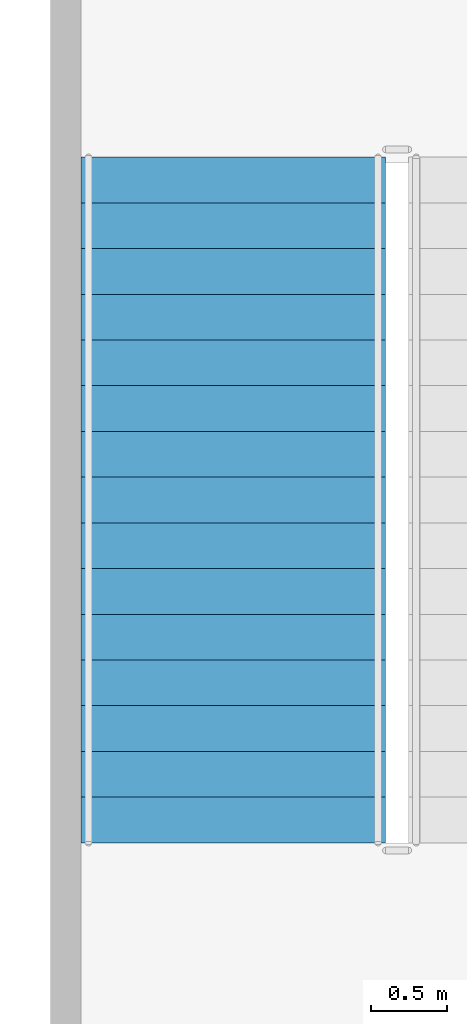
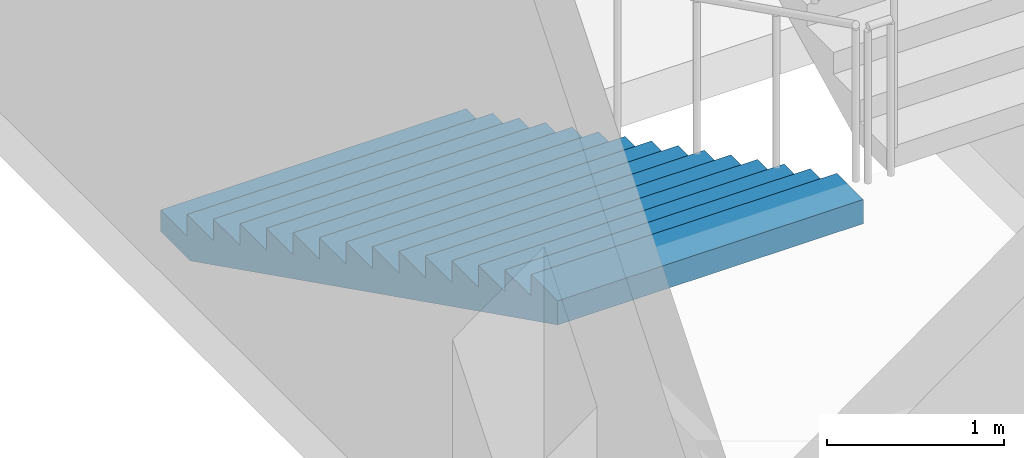
# One storey, part 53 of 91: 1 stair flight, 1 element without a shape of its own.
"""IFC4 building model written with IfcOpenShell, lengths in metres."""

import ifcopenshell
import ifcopenshell.guid

model = None  # the IFC model being written
_history = None  # IfcOwnerHistory: only IFC2X3 demands one
_inside = {}  # id of a spatial element -> (the spatial element, [elements in it])
_under = {}  # id of a project, library or spatial element -> (it, [spatial elements below it])
_declared = {}  # id of a project -> (the project, [libraries it declares])
_typed = {}  # id of a type object -> (the type object, [elements of that type])
_made_of = {}  # id of a material, layer set ... -> (it, [elements and type objects made of it])


def new_model(schema):
    """Start an empty IFC model of exactly this schema.

    Asked for "IFC4X3", IfcOpenShell would pick the latest addendum, in which some entities
    have other attributes; the version numbers below select the first issue.
    IFC2X3 requires an IfcOwnerHistory on every rooted entity: one is made here for all.
    """
    global model, _history
    if schema == "IFC4X3":
        model = ifcopenshell.file(schema_version=(4, 3, 0, 0))
    else:
        model = ifcopenshell.file(schema=schema)
    _inside.clear()
    _under.clear()
    _declared.clear()
    _typed.clear()
    _made_of.clear()
    _history = None
    if model.schema == "IFC2X3":
        org = make("IfcOrganization", Name="unknown")
        user = make(
            "IfcPersonAndOrganization",
            ThePerson=make("IfcPerson", FamilyName="unknown"),
            TheOrganization=org,
        )
        app = make(
            "IfcApplication",
            ApplicationDeveloper=org,
            Version="unknown",
            ApplicationFullName="unknown",
            ApplicationIdentifier="unknown",
        )
        _history = make(
            "IfcOwnerHistory",
            OwningUser=user,
            OwningApplication=app,
            ChangeAction="ADDED",
            CreationDate=0,
        )
    return model


def make(cls, **values):
    """One entity of the class cls with the attributes given. An attribute that is None is left unset."""
    return model.create_entity(
        cls, **{name: value for name, value in values.items() if value is not None}
    )


def rooted(cls, **values):
    """An entity with a GlobalId (a new one), such as an element, a storey or a relation."""
    return make(cls, GlobalId=ifcopenshell.guid.new(), OwnerHistory=_history, **values)


def si_unit(unit_type, name, prefix=None):
    """IfcSIUnit, for example si_unit("LENGTHUNIT", "METRE", prefix="MILLI")."""
    return make("IfcSIUnit", UnitType=unit_type, Prefix=prefix, Name=name)


def assignment(units):
    """IfcUnitAssignment: the units of a project."""
    return None if units is None else make("IfcUnitAssignment", Units=units)


def point(xyz):
    """IfcCartesianPoint."""
    return None if xyz is None else make("IfcCartesianPoint", Coordinates=xyz)


def direction(xyz):
    """IfcDirection."""
    return None if xyz is None else make("IfcDirection", DirectionRatios=xyz)


def frame(location, z_axis=None, x_axis=None):
    """IfcAxis2Placement3D, a coordinate frame: its origin and axes. An axis left out is left unset."""
    return make(
        "IfcAxis2Placement3D",
        Location=point(location),
        Axis=direction(z_axis),
        RefDirection=direction(x_axis),
    )


def origin():
    """The frame at (0, 0, 0) with its axes left unset."""
    return frame((0.0, 0.0, 0.0))


def place(relative_to, where):
    """IfcLocalPlacement: puts the frame where relative to a parent placement (None: the world)."""
    return make(
        "IfcLocalPlacement", PlacementRelTo=relative_to, RelativePlacement=where
    )


def context(
    kind, dimensions, precision=None, world=None, true_north=None, identifier=None
):
    """IfcGeometricRepresentationContext, for example the 3D "Model" context."""
    return make(
        "IfcGeometricRepresentationContext",
        ContextIdentifier=identifier,
        ContextType=kind,
        CoordinateSpaceDimension=dimensions,
        Precision=precision,
        WorldCoordinateSystem=world,
        TrueNorth=true_north,
    )


def subcontext(parent, identifier, kind, view, scale=None):
    """IfcGeometricRepresentationSubContext, for example "Body" below "Model"."""
    return make(
        "IfcGeometricRepresentationSubContext",
        ContextIdentifier=identifier,
        ContextType=kind,
        ParentContext=parent,
        TargetScale=scale,
        TargetView=view,
    )


def project(units=None, contexts=None):
    """IfcProject with its units and contexts."""
    return rooted(
        "IfcProject",
        Name="project",
        RepresentationContexts=contexts,
        UnitsInContext=assignment(units),
    )


def spatial(cls, under=None, at=None, **own):
    """A site, building, storey or space (cls), placed at a placement, below another one or the project."""
    s = rooted(cls, ObjectPlacement=at, **own)
    if under is not None:
        _under.setdefault(under.id(), (under, []))[1].append(s)
    return s


def faces_of(points, faces, orient=None, outer=None):
    """IfcFace entities. A face is a list of loops; a loop is a list of indices into points, from 0.

    orient and outer hold one flag for each loop. By default every Orientation is true, the
    first loop of a face is its IfcFaceOuterBound and the others are IfcFaceBound.
    """
    made = []
    for i, loops in enumerate(faces):
        bounds = []
        for j, loop in enumerate(loops):
            is_outer = j == 0 if outer is None else outer[i][j]
            bounds.append(
                make(
                    "IfcFaceOuterBound" if is_outer else "IfcFaceBound",
                    Bound=make("IfcPolyLoop", Polygon=[points[k] for k in loop]),
                    Orientation=True if orient is None else orient[i][j],
                )
            )
        made.append(make("IfcFace", Bounds=bounds))
    return made


def faceted_brep(points, faces, orient=None, outer=None, voids=None):
    """IfcFacetedBrep: a solid bounded by flat faces; with voids (closed shells), ...WithVoids."""
    shared = [point(p) for p in points]
    hull = make("IfcClosedShell", CfsFaces=faces_of(shared, faces, orient, outer))
    if voids is None:
        return make("IfcFacetedBrep", Outer=hull)
    return make(
        "IfcFacetedBrepWithVoids",
        Outer=hull,
        Voids=[
            make(cls, CfsFaces=faces_of(shared, fs, o, b)) for cls, fs, o, b in voids
        ],
    )


def shape(context_of_items, identifier, shape_type, items):
    """IfcShapeRepresentation: the items that make up one representation, for example the "Body"."""
    return make(
        "IfcShapeRepresentation",
        ContextOfItems=context_of_items,
        RepresentationIdentifier=identifier,
        RepresentationType=shape_type,
        Items=items,
    )


def material(Name=None, Category=None):
    """IfcMaterial."""
    return make("IfcMaterial", Name=Name, Category=Category)


def made_of(thing, what):
    """Note that an element or type object is made of a material, layer set ...; save() writes the relation."""
    if what is not None:
        _made_of.setdefault(what.id(), (what, []))[1].append(thing)
    return thing


def type_object(cls, material=None, **own):
    """A type object (cls), such as IfcWallType, which elements share."""
    return made_of(rooted(cls, **own), material)


def element(
    cls,
    number,
    at=None,
    inside=None,
    cuts=None,
    type_object=None,
    material=None,
    context=None,
    identifier="Body",
    shape_type=None,
    held_by="IfcProductDefinitionShape",
    body=None,
    shapes=None,
    **own,
):
    """One element of the class cls, such as IfcWall. Its Tag is "e" and its number.

    at: its placement. inside: the storey or other place that contains it. cuts: it is an
    opening in that element (IfcRelVoidsElement). A single representation is given by context,
    identifier, shape_type and body (its items); several are given by shapes. held_by: the class
    of the entity that holds the representations. save() writes the other relations.
    """
    e = rooted(cls, Tag="e%d" % number, ObjectPlacement=at, **own)
    if body is not None:
        shapes = [shape(context, identifier, shape_type, body)]
    if shapes is not None:
        e.Representation = make(held_by, Representations=shapes)
    if inside is not None:
        _inside.setdefault(inside.id(), (inside, []))[1].append(e)
    if cuts is not None:
        rooted(
            "IfcRelVoidsElement", RelatingBuildingElement=cuts, RelatedOpeningElement=e
        )
    if type_object is not None:
        _typed.setdefault(type_object.id(), (type_object, []))[1].append(e)
    return made_of(e, material)


def aggregate(whole, parts):
    """IfcRelAggregates: a whole, such as a stair, and the parts it consists of."""
    return rooted("IfcRelAggregates", RelatingObject=whole, RelatedObjects=parts)


def save(model, path):
    """Write the relations noted so far, then the file.

    IfcRelAggregates (storeys below a building ...), IfcRelContainedInSpatialStructure (elements
    in a storey), IfcRelDefinesByType, IfcRelAssociatesMaterial and IfcRelDeclares: one each for
    every whole, place, type object, material and project.
    """
    for whole, parts in _under.values():
        aggregate(whole, parts)
    for where, things in _inside.values():
        rooted(
            "IfcRelContainedInSpatialStructure",
            RelatedElements=things,
            RelatingStructure=where,
        )
    for kind, things in _typed.values():
        rooted("IfcRelDefinesByType", RelatedObjects=things, RelatingType=kind)
    for what, things in _made_of.values():
        rooted("IfcRelAssociatesMaterial", RelatedObjects=things, RelatingMaterial=what)
    for by, libraries in _declared.values():
        rooted("IfcRelDeclares", RelatingContext=by, RelatedDefinitions=libraries)
    model.write(path)


model = new_model("IFC4")

# Units and contexts
model_context = context("Model", 3, precision=1e-05, world=origin(), true_north=direction((0.0, 1.0)))
body_context = subcontext(model_context, "Body", "Model", "MODEL_VIEW")
ifc_project = project(units=[si_unit("LENGTHUNIT", "METRE"), si_unit("AREAUNIT", "SQUARE_METRE"), si_unit("VOLUMEUNIT", "CUBIC_METRE"), si_unit("PLANEANGLEUNIT", "RADIAN"), si_unit("MASSUNIT", "GRAM", prefix="KILO")], contexts=[model_context])

# Site, building, storey
site_placement = place(None, origin())
site = spatial("IfcSite", under=ifc_project, at=site_placement, CompositionType="ELEMENT")
building_placement = place(site_placement, origin())
building = spatial("IfcBuilding", under=site, at=building_placement, Name="Kiln Court Media Centre", CompositionType="ELEMENT")
storey_placement = place(building_placement, frame((0.0, 0.0, 5.39990234375)))
storey = spatial("IfcBuildingStorey", under=building, at=storey_placement, Name="L01", CompositionType="ELEMENT", Elevation=5.39990234375)

# Stair, stair flight
ifc_material_1 = material(Name="Concrete C40/50", Category="concrete")
stair_type = type_object("IfcStairType", Name="Concrete C40/50 dog-leg stair 2000 wide, 150 riser", PredefinedType="HALF_TURN_STAIR", material=ifc_material_1)
stair_placement = place(storey_placement, origin())
stair = element("IfcStair", 1, at=stair_placement, inside=storey, type_object=stair_type, Name="ST-11 L01", PredefinedType="HALF_TURN_STAIR")
ifc_material_2 = material(Name="Concrete C40/50", Category="concrete")
stair_flight_type = type_object("IfcStairFlightType", Name="Concrete C40/50 stair flight 2000 wide, 150 riser, 300 going", PredefinedType="STRAIGHT", material=ifc_material_2)
stair_flight_placement = place(storey_placement, frame((60.0, 64.39990234375, 0.0), z_axis=(0.0, 0.0, 1.0), x_axis=(0.0, -1.0, 0.0)))
stair_flight = element("IfcStairFlight", 2, at=stair_flight_placement, type_object=stair_flight_type, Name="L01-ST-5010 flight 5020", NumberOfRisers=16, NumberOfTreads=15, PredefinedType="STRAIGHT", RiserHeight=0.15, TreadLength=0.3, context=body_context, shape_type="Brep", body=[
    faceted_brep([(0.335205078125, -1.0, 0.0), (4.5, -1.0, 2.08251953125), (4.5, -1.0, 2.25), (4.199951171875, -1.0, 2.25), (4.199951171875, -1.0, 2.10009765625), (3.89990234375, -1.0, 2.10009765625), (3.89990234375, -1.0, 1.949951171875), (3.60009765625, -1.0, 1.949951171875), (3.60009765625, -1.0, 1.800048828125), (3.300048828125, -1.0, 1.800048828125), (3.300048828125, -1.0, 1.64990234375), (3.0, -1.0, 1.64990234375), (3.0, -1.0, 1.5), (2.699951171875, -1.0, 1.5), (2.699951171875, -1.0, 1.35009765625), (2.39990234375, -1.0, 1.35009765625), (2.39990234375, -1.0, 1.199951171875), (2.10009765625, -1.0, 1.199951171875), (2.10009765625, -1.0, 1.050048828125), (1.800048828125, -1.0, 1.050048828125), (1.800048828125, -1.0, 0.89990234375), (1.5, -1.0, 0.89990234375), (1.5, -1.0, 0.75), (1.199951171875, -1.0, 0.75), (1.199951171875, -1.0, 0.60009765625), (0.89990234375, -1.0, 0.60009765625), (0.89990234375, -1.0, 0.449951171875), (0.60009765625, -1.0, 0.449951171875), (0.60009765625, -1.0, 0.300048828125), (0.300048828125, -1.0, 0.300048828125), (0.300048828125, -1.0, 0.14990234375), (0.0, -1.0, 0.14990234375), (0.0, -1.0, 0.0), (0.0, 1.0, 0.0), (0.0, 1.0, 0.14990234375), (0.300048828125, 1.0, 0.14990234375), (0.300048828125, 1.0, 0.300048828125), (0.60009765625, 1.0, 0.300048828125), (0.60009765625, 1.0, 0.449951171875), (0.89990234375, 1.0, 0.449951171875), (0.89990234375, 1.0, 0.60009765625), (1.199951171875, 1.0, 0.60009765625), (1.199951171875, 1.0, 0.75), (1.5, 1.0, 0.75), (1.5, 1.0, 0.89990234375), (1.800048828125, 1.0, 0.89990234375), (1.800048828125, 1.0, 1.050048828125), (2.10009765625, 1.0, 1.050048828125), (2.10009765625, 1.0, 1.199951171875), (2.39990234375, 1.0, 1.199951171875), (2.39990234375, 1.0, 1.35009765625), (2.699951171875, 1.0, 1.35009765625), (2.699951171875, 1.0, 1.5), (3.0, 1.0, 1.5), (3.0, 1.0, 1.64990234375), (3.300048828125, 1.0, 1.64990234375), (3.300048828125, 1.0, 1.800048828125), (3.60009765625, 1.0, 1.800048828125), (3.60009765625, 1.0, 1.949951171875), (3.89990234375, 1.0, 1.949951171875), (3.89990234375, 1.0, 2.10009765625), (4.199951171875, 1.0, 2.10009765625), (4.199951171875, 1.0, 2.25), (4.5, 1.0, 2.25), (4.5, 1.0, 2.08251953125), (0.335205078125, 1.0, 0.0), (4.5, 0.10009765625, 2.08251953125), (0.335205078125, 0.10009765625, 0.0), (4.5, 0.080078125, 2.08251953125), (0.335205078125, 0.080078125, 0.0), (4.5, 0.06005859375, 2.08251953125), (0.335205078125, 0.06005859375, 0.0), (4.5, 0.0400390625, 2.08251953125), (0.335205078125, 0.0400390625, 0.0), (4.5, 0.02001953125, 2.08251953125), (0.335205078125, 0.02001953125, 0.0), (4.5, 0.0, 2.08251953125), (0.335205078125, 0.0, 0.0), (4.5, -0.02001953125, 2.08251953125), (0.335205078125, -0.02001953125, 0.0), (4.5, -0.0400390625, 2.08251953125), (0.335205078125, -0.0400390625, 0.0), (4.5, -0.06005859375, 2.08251953125), (0.335205078125, -0.06005859375, 0.0), (4.5, -0.080078125, 2.08251953125), (0.335205078125, -0.080078125, 0.0), (4.5, -0.10009765625, 2.08251953125), (0.335205078125, -0.10009765625, 0.0), (4.5, 0.10009765625, 2.25), (4.5, 0.080078125, 2.25), (4.5, 0.06005859375, 2.25), (4.5, 0.0400390625, 2.25), (4.5, 0.02001953125, 2.25), (4.5, 0.0, 2.25), (4.5, -0.02001953125, 2.25), (4.5, -0.0400390625, 2.25), (4.5, -0.06005859375, 2.25), (4.5, -0.080078125, 2.25), (4.5, -0.10009765625, 2.25), (4.199951171875, 0.10009765625, 2.25), (4.199951171875, 0.080078125, 2.25), (4.199951171875, 0.06005859375, 2.25), (4.199951171875, 0.0400390625, 2.25), (4.199951171875, 0.02001953125, 2.25), (4.199951171875, 0.0, 2.25), (4.199951171875, -0.02001953125, 2.25), (4.199951171875, -0.0400390625, 2.25), (4.199951171875, -0.06005859375, 2.25), (4.199951171875, -0.080078125, 2.25), (4.199951171875, -0.10009765625, 2.25), (4.199951171875, 0.10009765625, 2.10009765625), (4.199951171875, 0.080078125, 2.10009765625), (4.199951171875, 0.06005859375, 2.10009765625), (4.199951171875, 0.0400390625, 2.10009765625), (4.199951171875, 0.02001953125, 2.10009765625), (4.199951171875, 0.0, 2.10009765625), (4.199951171875, -0.02001953125, 2.10009765625), (4.199951171875, -0.0400390625, 2.10009765625), (4.199951171875, -0.06005859375, 2.10009765625), (4.199951171875, -0.080078125, 2.10009765625), (4.199951171875, -0.10009765625, 2.10009765625), (3.89990234375, 0.10009765625, 2.10009765625), (3.89990234375, 0.080078125, 2.10009765625), (3.89990234375, 0.06005859375, 2.10009765625), (3.89990234375, 0.0400390625, 2.10009765625), (3.89990234375, 0.02001953125, 2.10009765625), (3.89990234375, 0.0, 2.10009765625), (3.89990234375, -0.02001953125, 2.10009765625), (3.89990234375, -0.0400390625, 2.10009765625), (3.89990234375, -0.06005859375, 2.10009765625), (3.89990234375, -0.080078125, 2.10009765625), (3.89990234375, -0.10009765625, 2.10009765625), (3.89990234375, 0.10009765625, 1.949951171875), (3.89990234375, 0.080078125, 1.949951171875), (3.89990234375, 0.06005859375, 1.949951171875), (3.89990234375, 0.0400390625, 1.949951171875), (3.89990234375, 0.02001953125, 1.949951171875), (3.89990234375, 0.0, 1.949951171875), (3.89990234375, -0.02001953125, 1.949951171875), (3.89990234375, -0.0400390625, 1.949951171875), (3.89990234375, -0.06005859375, 1.949951171875), (3.89990234375, -0.080078125, 1.949951171875), (3.89990234375, -0.10009765625, 1.949951171875), (3.60009765625, 0.10009765625, 1.949951171875), (3.60009765625, 0.080078125, 1.949951171875), (3.60009765625, 0.06005859375, 1.949951171875), (3.60009765625, 0.0400390625, 1.949951171875), (3.60009765625, 0.02001953125, 1.949951171875), (3.60009765625, 0.0, 1.949951171875), (3.60009765625, -0.02001953125, 1.949951171875), (3.60009765625, -0.0400390625, 1.949951171875), (3.60009765625, -0.06005859375, 1.949951171875), (3.60009765625, -0.080078125, 1.949951171875), (3.60009765625, -0.10009765625, 1.949951171875), (3.60009765625, 0.10009765625, 1.800048828125), (3.60009765625, 0.080078125, 1.800048828125), (3.60009765625, 0.06005859375, 1.800048828125), (3.60009765625, 0.0400390625, 1.800048828125), (3.60009765625, 0.02001953125, 1.800048828125), (3.60009765625, 0.0, 1.800048828125), (3.60009765625, -0.02001953125, 1.800048828125), (3.60009765625, -0.0400390625, 1.800048828125), (3.60009765625, -0.06005859375, 1.800048828125), (3.60009765625, -0.080078125, 1.800048828125), (3.60009765625, -0.10009765625, 1.800048828125), (3.300048828125, 0.10009765625, 1.800048828125), (3.300048828125, 0.080078125, 1.800048828125), (3.300048828125, 0.06005859375, 1.800048828125), (3.300048828125, 0.0400390625, 1.800048828125), (3.300048828125, 0.02001953125, 1.800048828125), (3.300048828125, 0.0, 1.800048828125), (3.300048828125, -0.02001953125, 1.800048828125), (3.300048828125, -0.0400390625, 1.800048828125), (3.300048828125, -0.06005859375, 1.800048828125), (3.300048828125, -0.080078125, 1.800048828125), (3.300048828125, -0.10009765625, 1.800048828125), (3.300048828125, 0.10009765625, 1.64990234375), (3.300048828125, 0.080078125, 1.64990234375), (3.300048828125, 0.06005859375, 1.64990234375), (3.300048828125, 0.0400390625, 1.64990234375), (3.300048828125, 0.02001953125, 1.64990234375), (3.300048828125, 0.0, 1.64990234375), (3.300048828125, -0.02001953125, 1.64990234375), (3.300048828125, -0.0400390625, 1.64990234375), (3.300048828125, -0.06005859375, 1.64990234375), (3.300048828125, -0.080078125, 1.64990234375), (3.300048828125, -0.10009765625, 1.64990234375), (3.0, 0.10009765625, 1.64990234375), (3.0, 0.080078125, 1.64990234375), (3.0, 0.06005859375, 1.64990234375), (3.0, 0.0400390625, 1.64990234375), (3.0, 0.02001953125, 1.64990234375), (3.0, 0.0, 1.64990234375), (3.0, -0.02001953125, 1.64990234375), (3.0, -0.0400390625, 1.64990234375), (3.0, -0.06005859375, 1.64990234375), (3.0, -0.080078125, 1.64990234375), (3.0, -0.10009765625, 1.64990234375), (3.0, 0.10009765625, 1.5), (3.0, 0.080078125, 1.5), (3.0, 0.06005859375, 1.5), (3.0, 0.0400390625, 1.5), (3.0, 0.02001953125, 1.5), (3.0, 0.0, 1.5), (3.0, -0.02001953125, 1.5), (3.0, -0.0400390625, 1.5), (3.0, -0.06005859375, 1.5), (3.0, -0.080078125, 1.5), (3.0, -0.10009765625, 1.5), (2.699951171875, 0.10009765625, 1.5), (2.699951171875, 0.080078125, 1.5), (2.699951171875, 0.06005859375, 1.5), (2.699951171875, 0.0400390625, 1.5), (2.699951171875, 0.02001953125, 1.5), (2.699951171875, 0.0, 1.5), (2.699951171875, -0.02001953125, 1.5), (2.699951171875, -0.0400390625, 1.5), (2.699951171875, -0.06005859375, 1.5), (2.699951171875, -0.080078125, 1.5), (2.699951171875, -0.10009765625, 1.5), (2.699951171875, 0.10009765625, 1.35009765625), (2.699951171875, 0.080078125, 1.35009765625), (2.699951171875, 0.06005859375, 1.35009765625), (2.699951171875, 0.0400390625, 1.35009765625), (2.699951171875, 0.02001953125, 1.35009765625), (2.699951171875, 0.0, 1.35009765625), (2.699951171875, -0.02001953125, 1.35009765625), (2.699951171875, -0.0400390625, 1.35009765625), (2.699951171875, -0.06005859375, 1.35009765625), (2.699951171875, -0.080078125, 1.35009765625), (2.699951171875, -0.10009765625, 1.35009765625), (2.39990234375, 0.10009765625, 1.35009765625), (2.39990234375, 0.080078125, 1.35009765625), (2.39990234375, 0.06005859375, 1.35009765625), (2.39990234375, 0.0400390625, 1.35009765625), (2.39990234375, 0.02001953125, 1.35009765625), (2.39990234375, 0.0, 1.35009765625), (2.39990234375, -0.02001953125, 1.35009765625), (2.39990234375, -0.0400390625, 1.35009765625), (2.39990234375, -0.06005859375, 1.35009765625), (2.39990234375, -0.080078125, 1.35009765625), (2.39990234375, -0.10009765625, 1.35009765625), (2.39990234375, 0.10009765625, 1.199951171875), (2.39990234375, 0.080078125, 1.199951171875), (2.39990234375, 0.06005859375, 1.199951171875), (2.39990234375, 0.0400390625, 1.199951171875), (2.39990234375, 0.02001953125, 1.199951171875), (2.39990234375, 0.0, 1.199951171875), (2.39990234375, -0.02001953125, 1.199951171875), (2.39990234375, -0.0400390625, 1.199951171875), (2.39990234375, -0.06005859375, 1.199951171875), (2.39990234375, -0.080078125, 1.199951171875), (2.39990234375, -0.10009765625, 1.199951171875), (2.10009765625, 0.10009765625, 1.199951171875), (2.10009765625, 0.080078125, 1.199951171875), (2.10009765625, 0.06005859375, 1.199951171875), (2.10009765625, 0.0400390625, 1.199951171875), (2.10009765625, 0.02001953125, 1.199951171875), (2.10009765625, 0.0, 1.199951171875), (2.10009765625, -0.02001953125, 1.199951171875), (2.10009765625, -0.0400390625, 1.199951171875), (2.10009765625, -0.06005859375, 1.199951171875), (2.10009765625, -0.080078125, 1.199951171875), (2.10009765625, -0.10009765625, 1.199951171875), (2.10009765625, 0.10009765625, 1.050048828125), (2.10009765625, 0.080078125, 1.050048828125), (2.10009765625, 0.06005859375, 1.050048828125), (2.10009765625, 0.0400390625, 1.050048828125), (2.10009765625, 0.02001953125, 1.050048828125), (2.10009765625, 0.0, 1.050048828125), (2.10009765625, -0.02001953125, 1.050048828125), (2.10009765625, -0.0400390625, 1.050048828125), (2.10009765625, -0.06005859375, 1.050048828125), (2.10009765625, -0.080078125, 1.050048828125), (2.10009765625, -0.10009765625, 1.050048828125), (1.800048828125, 0.10009765625, 1.050048828125), (1.800048828125, 0.080078125, 1.050048828125), (1.800048828125, 0.06005859375, 1.050048828125), (1.800048828125, 0.0400390625, 1.050048828125), (1.800048828125, 0.02001953125, 1.050048828125), (1.800048828125, 0.0, 1.050048828125), (1.800048828125, -0.02001953125, 1.050048828125), (1.800048828125, -0.0400390625, 1.050048828125), (1.800048828125, -0.06005859375, 1.050048828125), (1.800048828125, -0.080078125, 1.050048828125), (1.800048828125, -0.10009765625, 1.050048828125), (1.800048828125, 0.10009765625, 0.89990234375), (1.800048828125, 0.080078125, 0.89990234375), (1.800048828125, 0.06005859375, 0.89990234375), (1.800048828125, 0.0400390625, 0.89990234375), (1.800048828125, 0.02001953125, 0.89990234375), (1.800048828125, 0.0, 0.89990234375), (1.800048828125, -0.02001953125, 0.89990234375), (1.800048828125, -0.0400390625, 0.89990234375), (1.800048828125, -0.06005859375, 0.89990234375), (1.800048828125, -0.080078125, 0.89990234375), (1.800048828125, -0.10009765625, 0.89990234375), (1.5, 0.10009765625, 0.89990234375), (1.5, 0.080078125, 0.89990234375), (1.5, 0.06005859375, 0.89990234375), (1.5, 0.0400390625, 0.89990234375), (1.5, 0.02001953125, 0.89990234375), (1.5, 0.0, 0.89990234375), (1.5, -0.02001953125, 0.89990234375), (1.5, -0.0400390625, 0.89990234375), (1.5, -0.06005859375, 0.89990234375), (1.5, -0.080078125, 0.89990234375), (1.5, -0.10009765625, 0.89990234375), (1.5, 0.10009765625, 0.75), (1.5, 0.080078125, 0.75), (1.5, 0.06005859375, 0.75), (1.5, 0.0400390625, 0.75), (1.5, 0.02001953125, 0.75), (1.5, 0.0, 0.75), (1.5, -0.02001953125, 0.75), (1.5, -0.0400390625, 0.75), (1.5, -0.06005859375, 0.75), (1.5, -0.080078125, 0.75), (1.5, -0.10009765625, 0.75), (1.199951171875, 0.10009765625, 0.75), (1.199951171875, 0.080078125, 0.75), (1.199951171875, 0.06005859375, 0.75), (1.199951171875, 0.0400390625, 0.75), (1.199951171875, 0.02001953125, 0.75), (1.199951171875, 0.0, 0.75), (1.199951171875, -0.02001953125, 0.75), (1.199951171875, -0.0400390625, 0.75), (1.199951171875, -0.06005859375, 0.75), (1.199951171875, -0.080078125, 0.75), (1.199951171875, -0.10009765625, 0.75), (1.199951171875, 0.10009765625, 0.60009765625), (1.199951171875, 0.080078125, 0.60009765625), (1.199951171875, 0.06005859375, 0.60009765625), (1.199951171875, 0.0400390625, 0.60009765625), (1.199951171875, 0.02001953125, 0.60009765625), (1.199951171875, 0.0, 0.60009765625), (1.199951171875, -0.02001953125, 0.60009765625), (1.199951171875, -0.0400390625, 0.60009765625), (1.199951171875, -0.06005859375, 0.60009765625), (1.199951171875, -0.080078125, 0.60009765625), (1.199951171875, -0.10009765625, 0.60009765625), (0.89990234375, 0.10009765625, 0.60009765625), (0.89990234375, 0.080078125, 0.60009765625), (0.89990234375, 0.06005859375, 0.60009765625), (0.89990234375, 0.0400390625, 0.60009765625), (0.89990234375, 0.02001953125, 0.60009765625), (0.89990234375, 0.0, 0.60009765625), (0.89990234375, -0.02001953125, 0.60009765625), (0.89990234375, -0.0400390625, 0.60009765625), (0.89990234375, -0.06005859375, 0.60009765625), (0.89990234375, -0.080078125, 0.60009765625), (0.89990234375, -0.10009765625, 0.60009765625), (0.89990234375, 0.10009765625, 0.449951171875), (0.89990234375, 0.080078125, 0.449951171875), (0.89990234375, 0.06005859375, 0.449951171875), (0.89990234375, 0.0400390625, 0.449951171875), (0.89990234375, 0.02001953125, 0.449951171875), (0.89990234375, 0.0, 0.449951171875), (0.89990234375, -0.02001953125, 0.449951171875), (0.89990234375, -0.0400390625, 0.449951171875), (0.89990234375, -0.06005859375, 0.449951171875), (0.89990234375, -0.080078125, 0.449951171875), (0.89990234375, -0.10009765625, 0.449951171875), (0.60009765625, 0.10009765625, 0.449951171875), (0.60009765625, 0.080078125, 0.449951171875), (0.60009765625, 0.06005859375, 0.449951171875), (0.60009765625, 0.0400390625, 0.449951171875), (0.60009765625, 0.02001953125, 0.449951171875), (0.60009765625, 0.0, 0.449951171875), (0.60009765625, -0.02001953125, 0.449951171875), (0.60009765625, -0.0400390625, 0.449951171875), (0.60009765625, -0.06005859375, 0.449951171875), (0.60009765625, -0.080078125, 0.449951171875), (0.60009765625, -0.10009765625, 0.449951171875), (0.60009765625, 0.10009765625, 0.300048828125), (0.60009765625, 0.080078125, 0.300048828125), (0.60009765625, 0.06005859375, 0.300048828125), (0.60009765625, 0.0400390625, 0.300048828125), (0.60009765625, 0.02001953125, 0.300048828125), (0.60009765625, 0.0, 0.300048828125), (0.60009765625, -0.02001953125, 0.300048828125), (0.60009765625, -0.0400390625, 0.300048828125), (0.60009765625, -0.06005859375, 0.300048828125), (0.60009765625, -0.080078125, 0.300048828125), (0.60009765625, -0.10009765625, 0.300048828125), (0.300048828125, 0.10009765625, 0.300048828125), (0.300048828125, 0.080078125, 0.300048828125), (0.300048828125, 0.06005859375, 0.300048828125), (0.300048828125, 0.0400390625, 0.300048828125), (0.300048828125, 0.02001953125, 0.300048828125), (0.300048828125, 0.0, 0.300048828125), (0.300048828125, -0.02001953125, 0.300048828125), (0.300048828125, -0.0400390625, 0.300048828125), (0.300048828125, -0.06005859375, 0.300048828125), (0.300048828125, -0.080078125, 0.300048828125), (0.300048828125, -0.10009765625, 0.300048828125), (0.300048828125, 0.10009765625, 0.14990234375), (0.300048828125, 0.080078125, 0.14990234375), (0.300048828125, 0.06005859375, 0.14990234375), (0.300048828125, 0.0400390625, 0.14990234375), (0.300048828125, 0.02001953125, 0.14990234375), (0.300048828125, 0.0, 0.14990234375), (0.300048828125, -0.02001953125, 0.14990234375), (0.300048828125, -0.0400390625, 0.14990234375), (0.300048828125, -0.06005859375, 0.14990234375), (0.300048828125, -0.080078125, 0.14990234375), (0.300048828125, -0.10009765625, 0.14990234375), (0.0, 0.10009765625, 0.14990234375), (0.0, 0.080078125, 0.14990234375), (0.0, 0.06005859375, 0.14990234375), (0.0, 0.0400390625, 0.14990234375), (0.0, 0.02001953125, 0.14990234375), (0.0, 0.0, 0.14990234375), (0.0, -0.02001953125, 0.14990234375), (0.0, -0.0400390625, 0.14990234375), (0.0, -0.06005859375, 0.14990234375), (0.0, -0.080078125, 0.14990234375), (0.0, -0.10009765625, 0.14990234375), (0.0, 0.10009765625, 0.0), (0.0, 0.080078125, 0.0), (0.0, 0.06005859375, 0.0), (0.0, 0.0400390625, 0.0), (0.0, 0.02001953125, 0.0), (0.0, 0.0, 0.0), (0.0, -0.02001953125, 0.0), (0.0, -0.0400390625, 0.0), (0.0, -0.06005859375, 0.0), (0.0, -0.080078125, 0.0), (0.0, -0.10009765625, 0.0)], [[[0, 1, 2, 3, 4, 5, 6, 7, 8, 9, 10, 11, 12, 13, 14, 15, 16, 17, 18, 19, 20, 21, 22, 23, 24, 25, 26, 27, 28, 29, 30, 31, 32]], [[33, 34, 35, 36, 37, 38, 39, 40, 41, 42, 43, 44, 45, 46, 47, 48, 49, 50, 51, 52, 53, 54, 55, 56, 57, 58, 59, 60, 61, 62, 63, 64, 65]], [[65, 64, 66, 67]], [[67, 66, 68, 69]], [[69, 68, 70, 71]], [[71, 70, 72, 73]], [[73, 72, 74, 75]], [[75, 74, 76, 77]], [[77, 76, 78, 79]], [[79, 78, 80, 81]], [[81, 80, 82, 83]], [[83, 82, 84, 85]], [[85, 84, 86, 87]], [[87, 86, 1, 0]], [[64, 63, 88, 66]], [[66, 88, 89, 68]], [[68, 89, 90, 70]], [[70, 90, 91, 72]], [[72, 91, 92, 74]], [[74, 92, 93, 76]], [[76, 93, 94, 78]], [[78, 94, 95, 80]], [[80, 95, 96, 82]], [[82, 96, 97, 84]], [[84, 97, 98, 86]], [[86, 98, 2, 1]], [[63, 62, 99, 88]], [[88, 99, 100, 89]], [[89, 100, 101, 90]], [[90, 101, 102, 91]], [[91, 102, 103, 92]], [[92, 103, 104, 93]], [[93, 104, 105, 94]], [[94, 105, 106, 95]], [[95, 106, 107, 96]], [[96, 107, 108, 97]], [[97, 108, 109, 98]], [[98, 109, 3, 2]], [[62, 61, 110, 99]], [[99, 110, 111, 100]], [[100, 111, 112, 101]], [[101, 112, 113, 102]], [[102, 113, 114, 103]], [[103, 114, 115, 104]], [[104, 115, 116, 105]], [[105, 116, 117, 106]], [[106, 117, 118, 107]], [[107, 118, 119, 108]], [[108, 119, 120, 109]], [[109, 120, 4, 3]], [[61, 60, 121, 110]], [[110, 121, 122, 111]], [[111, 122, 123, 112]], [[112, 123, 124, 113]], [[113, 124, 125, 114]], [[114, 125, 126, 115]], [[115, 126, 127, 116]], [[116, 127, 128, 117]], [[117, 128, 129, 118]], [[118, 129, 130, 119]], [[119, 130, 131, 120]], [[120, 131, 5, 4]], [[60, 59, 132, 121]], [[121, 132, 133, 122]], [[122, 133, 134, 123]], [[123, 134, 135, 124]], [[124, 135, 136, 125]], [[125, 136, 137, 126]], [[126, 137, 138, 127]], [[127, 138, 139, 128]], [[128, 139, 140, 129]], [[129, 140, 141, 130]], [[130, 141, 142, 131]], [[131, 142, 6, 5]], [[59, 58, 143, 132]], [[132, 143, 144, 133]], [[133, 144, 145, 134]], [[134, 145, 146, 135]], [[135, 146, 147, 136]], [[136, 147, 148, 137]], [[137, 148, 149, 138]], [[138, 149, 150, 139]], [[139, 150, 151, 140]], [[140, 151, 152, 141]], [[141, 152, 153, 142]], [[142, 153, 7, 6]], [[58, 57, 154, 143]], [[143, 154, 155, 144]], [[144, 155, 156, 145]], [[145, 156, 157, 146]], [[146, 157, 158, 147]], [[147, 158, 159, 148]], [[148, 159, 160, 149]], [[149, 160, 161, 150]], [[150, 161, 162, 151]], [[151, 162, 163, 152]], [[152, 163, 164, 153]], [[153, 164, 8, 7]], [[57, 56, 165, 154]], [[154, 165, 166, 155]], [[155, 166, 167, 156]], [[156, 167, 168, 157]], [[157, 168, 169, 158]], [[158, 169, 170, 159]], [[159, 170, 171, 160]], [[160, 171, 172, 161]], [[161, 172, 173, 162]], [[162, 173, 174, 163]], [[163, 174, 175, 164]], [[164, 175, 9, 8]], [[56, 55, 176, 165]], [[165, 176, 177, 166]], [[166, 177, 178, 167]], [[167, 178, 179, 168]], [[168, 179, 180, 169]], [[169, 180, 181, 170]], [[170, 181, 182, 171]], [[171, 182, 183, 172]], [[172, 183, 184, 173]], [[173, 184, 185, 174]], [[174, 185, 186, 175]], [[175, 186, 10, 9]], [[55, 54, 187, 176]], [[176, 187, 188, 177]], [[177, 188, 189, 178]], [[178, 189, 190, 179]], [[179, 190, 191, 180]], [[180, 191, 192, 181]], [[181, 192, 193, 182]], [[182, 193, 194, 183]], [[183, 194, 195, 184]], [[184, 195, 196, 185]], [[185, 196, 197, 186]], [[186, 197, 11, 10]], [[54, 53, 198, 187]], [[187, 198, 199, 188]], [[188, 199, 200, 189]], [[189, 200, 201, 190]], [[190, 201, 202, 191]], [[191, 202, 203, 192]], [[192, 203, 204, 193]], [[193, 204, 205, 194]], [[194, 205, 206, 195]], [[195, 206, 207, 196]], [[196, 207, 208, 197]], [[197, 208, 12, 11]], [[53, 52, 209, 198]], [[198, 209, 210, 199]], [[199, 210, 211, 200]], [[200, 211, 212, 201]], [[201, 212, 213, 202]], [[202, 213, 214, 203]], [[203, 214, 215, 204]], [[204, 215, 216, 205]], [[205, 216, 217, 206]], [[206, 217, 218, 207]], [[207, 218, 219, 208]], [[208, 219, 13, 12]], [[52, 51, 220, 209]], [[209, 220, 221, 210]], [[210, 221, 222, 211]], [[211, 222, 223, 212]], [[212, 223, 224, 213]], [[213, 224, 225, 214]], [[214, 225, 226, 215]], [[215, 226, 227, 216]], [[216, 227, 228, 217]], [[217, 228, 229, 218]], [[218, 229, 230, 219]], [[219, 230, 14, 13]], [[51, 50, 231, 220]], [[220, 231, 232, 221]], [[221, 232, 233, 222]], [[222, 233, 234, 223]], [[223, 234, 235, 224]], [[224, 235, 236, 225]], [[225, 236, 237, 226]], [[226, 237, 238, 227]], [[227, 238, 239, 228]], [[228, 239, 240, 229]], [[229, 240, 241, 230]], [[230, 241, 15, 14]], [[50, 49, 242, 231]], [[231, 242, 243, 232]], [[232, 243, 244, 233]], [[233, 244, 245, 234]], [[234, 245, 246, 235]], [[235, 246, 247, 236]], [[236, 247, 248, 237]], [[237, 248, 249, 238]], [[238, 249, 250, 239]], [[239, 250, 251, 240]], [[240, 251, 252, 241]], [[241, 252, 16, 15]], [[49, 48, 253, 242]], [[242, 253, 254, 243]], [[243, 254, 255, 244]], [[244, 255, 256, 245]], [[245, 256, 257, 246]], [[246, 257, 258, 247]], [[247, 258, 259, 248]], [[248, 259, 260, 249]], [[249, 260, 261, 250]], [[250, 261, 262, 251]], [[251, 262, 263, 252]], [[252, 263, 17, 16]], [[48, 47, 264, 253]], [[253, 264, 265, 254]], [[254, 265, 266, 255]], [[255, 266, 267, 256]], [[256, 267, 268, 257]], [[257, 268, 269, 258]], [[258, 269, 270, 259]], [[259, 270, 271, 260]], [[260, 271, 272, 261]], [[261, 272, 273, 262]], [[262, 273, 274, 263]], [[263, 274, 18, 17]], [[47, 46, 275, 264]], [[264, 275, 276, 265]], [[265, 276, 277, 266]], [[266, 277, 278, 267]], [[267, 278, 279, 268]], [[268, 279, 280, 269]], [[269, 280, 281, 270]], [[270, 281, 282, 271]], [[271, 282, 283, 272]], [[272, 283, 284, 273]], [[273, 284, 285, 274]], [[274, 285, 19, 18]], [[46, 45, 286, 275]], [[275, 286, 287, 276]], [[276, 287, 288, 277]], [[277, 288, 289, 278]], [[278, 289, 290, 279]], [[279, 290, 291, 280]], [[280, 291, 292, 281]], [[281, 292, 293, 282]], [[282, 293, 294, 283]], [[283, 294, 295, 284]], [[284, 295, 296, 285]], [[285, 296, 20, 19]], [[45, 44, 297, 286]], [[286, 297, 298, 287]], [[287, 298, 299, 288]], [[288, 299, 300, 289]], [[289, 300, 301, 290]], [[290, 301, 302, 291]], [[291, 302, 303, 292]], [[292, 303, 304, 293]], [[293, 304, 305, 294]], [[294, 305, 306, 295]], [[295, 306, 307, 296]], [[296, 307, 21, 20]], [[44, 43, 308, 297]], [[297, 308, 309, 298]], [[298, 309, 310, 299]], [[299, 310, 311, 300]], [[300, 311, 312, 301]], [[301, 312, 313, 302]], [[302, 313, 314, 303]], [[303, 314, 315, 304]], [[304, 315, 316, 305]], [[305, 316, 317, 306]], [[306, 317, 318, 307]], [[307, 318, 22, 21]], [[43, 42, 319, 308]], [[308, 319, 320, 309]], [[309, 320, 321, 310]], [[310, 321, 322, 311]], [[311, 322, 323, 312]], [[312, 323, 324, 313]], [[313, 324, 325, 314]], [[314, 325, 326, 315]], [[315, 326, 327, 316]], [[316, 327, 328, 317]], [[317, 328, 329, 318]], [[318, 329, 23, 22]], [[42, 41, 330, 319]], [[319, 330, 331, 320]], [[320, 331, 332, 321]], [[321, 332, 333, 322]], [[322, 333, 334, 323]], [[323, 334, 335, 324]], [[324, 335, 336, 325]], [[325, 336, 337, 326]], [[326, 337, 338, 327]], [[327, 338, 339, 328]], [[328, 339, 340, 329]], [[329, 340, 24, 23]], [[41, 40, 341, 330]], [[330, 341, 342, 331]], [[331, 342, 343, 332]], [[332, 343, 344, 333]], [[333, 344, 345, 334]], [[334, 345, 346, 335]], [[335, 346, 347, 336]], [[336, 347, 348, 337]], [[337, 348, 349, 338]], [[338, 349, 350, 339]], [[339, 350, 351, 340]], [[340, 351, 25, 24]], [[40, 39, 352, 341]], [[341, 352, 353, 342]], [[342, 353, 354, 343]], [[343, 354, 355, 344]], [[344, 355, 356, 345]], [[345, 356, 357, 346]], [[346, 357, 358, 347]], [[347, 358, 359, 348]], [[348, 359, 360, 349]], [[349, 360, 361, 350]], [[350, 361, 362, 351]], [[351, 362, 26, 25]], [[39, 38, 363, 352]], [[352, 363, 364, 353]], [[353, 364, 365, 354]], [[354, 365, 366, 355]], [[355, 366, 367, 356]], [[356, 367, 368, 357]], [[357, 368, 369, 358]], [[358, 369, 370, 359]], [[359, 370, 371, 360]], [[360, 371, 372, 361]], [[361, 372, 373, 362]], [[362, 373, 27, 26]], [[38, 37, 374, 363]], [[363, 374, 375, 364]], [[364, 375, 376, 365]], [[365, 376, 377, 366]], [[366, 377, 378, 367]], [[367, 378, 379, 368]], [[368, 379, 380, 369]], [[369, 380, 381, 370]], [[370, 381, 382, 371]], [[371, 382, 383, 372]], [[372, 383, 384, 373]], [[373, 384, 28, 27]], [[37, 36, 385, 374]], [[374, 385, 386, 375]], [[375, 386, 387, 376]], [[376, 387, 388, 377]], [[377, 388, 389, 378]], [[378, 389, 390, 379]], [[379, 390, 391, 380]], [[380, 391, 392, 381]], [[381, 392, 393, 382]], [[382, 393, 394, 383]], [[383, 394, 395, 384]], [[384, 395, 29, 28]], [[36, 35, 396, 385]], [[385, 396, 397, 386]], [[386, 397, 398, 387]], [[387, 398, 399, 388]], [[388, 399, 400, 389]], [[389, 400, 401, 390]], [[390, 401, 402, 391]], [[391, 402, 403, 392]], [[392, 403, 404, 393]], [[393, 404, 405, 394]], [[394, 405, 406, 395]], [[395, 406, 30, 29]], [[35, 34, 407, 396]], [[396, 407, 408, 397]], [[397, 408, 409, 398]], [[398, 409, 410, 399]], [[399, 410, 411, 400]], [[400, 411, 412, 401]], [[401, 412, 413, 402]], [[402, 413, 414, 403]], [[403, 414, 415, 404]], [[404, 415, 416, 405]], [[405, 416, 417, 406]], [[406, 417, 31, 30]], [[34, 33, 418, 407]], [[407, 418, 419, 408]], [[408, 419, 420, 409]], [[409, 420, 421, 410]], [[410, 421, 422, 411]], [[411, 422, 423, 412]], [[412, 423, 424, 413]], [[413, 424, 425, 414]], [[414, 425, 426, 415]], [[415, 426, 427, 416]], [[416, 427, 428, 417]], [[417, 428, 32, 31]], [[33, 65, 67, 418]], [[418, 67, 69, 419]], [[419, 69, 71, 420]], [[420, 71, 73, 421]], [[421, 73, 75, 422]], [[422, 75, 77, 423]], [[423, 77, 79, 424]], [[424, 79, 81, 425]], [[425, 81, 83, 426]], [[426, 83, 85, 427]], [[427, 85, 87, 428]], [[428, 87, 0, 32]]]),
])
aggregate(stair, [stair_flight])

save(model, "model.ifc")
